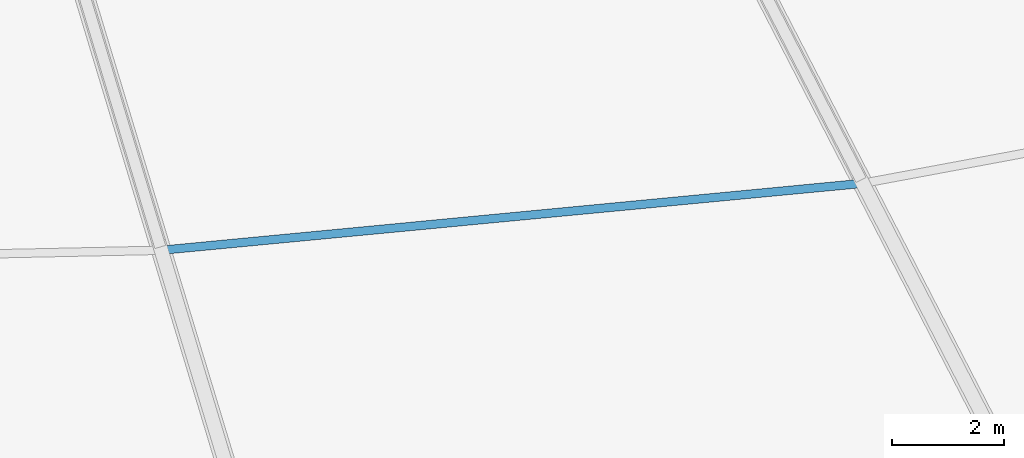
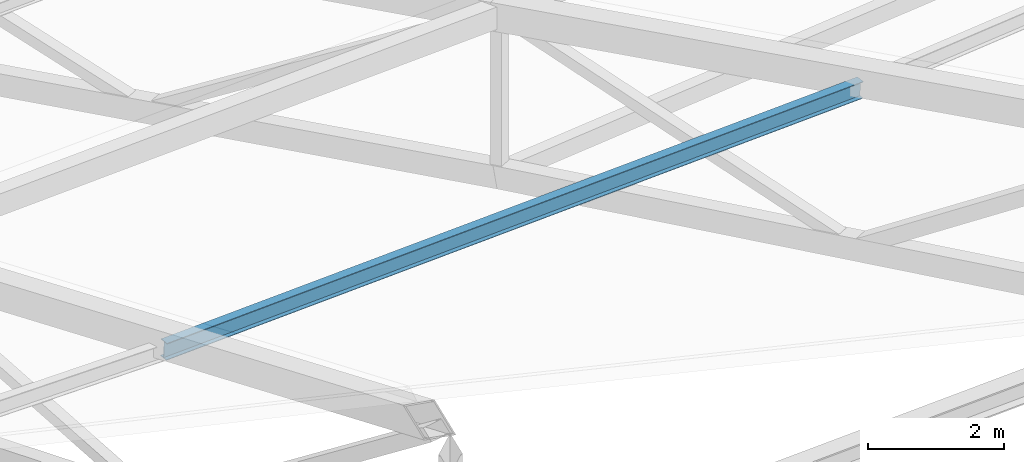
# One storey, part 34 of 143: 1 member.
"""IFC4 building model written with IfcOpenShell, lengths in metres."""

from ifc_helpers import new_model, si_unit, direction, frame, origin, origin_2d, place, context, subcontext, project, spatial, i_section, extrude, material, material_profile, profile_set, type_object, element, save


model = new_model("IFC4")

# Units and contexts
model_context = context("Model", 3, precision=1e-05, world=origin(), true_north=direction((0.0, 1.0)))
body_context = subcontext(model_context, "Body", "Model", "MODEL_VIEW")
ifc_project = project(units=[si_unit("LENGTHUNIT", "METRE"), si_unit("AREAUNIT", "SQUARE_METRE"), si_unit("VOLUMEUNIT", "CUBIC_METRE"), si_unit("PLANEANGLEUNIT", "RADIAN"), si_unit("MASSUNIT", "GRAM", prefix="KILO")], contexts=[model_context])

# Site, building, storey
site_placement = place(None, origin())
site = spatial("IfcSite", under=ifc_project, at=site_placement, CompositionType="ELEMENT")
building_placement = place(site_placement, origin())
building = spatial("IfcBuilding", under=site, at=building_placement, Name="Mphavela Belvedere Stadium", CompositionType="ELEMENT")
storey_placement = place(building_placement, frame((0.0, 0.0, 28.800048828125)))
storey = spatial("IfcBuildingStorey", under=building, at=storey_placement, Name="RF", CompositionType="ELEMENT", Elevation=28.800048828125)

# Member
ifc_material = material(Name="Steel S355", Category="steel")
ifc_material_profile = material_profile(ifc_material, i_section(OverallWidth=0.14990234375, OverallDepth=0.300048828125, WebThickness=0.007080078125, FlangeThickness=0.0107421875, at=origin_2d()), Name="IPE 300")
ifc_profile_set = profile_set([ifc_material_profile], Name="Steel S355")
member_type = type_object("IfcMemberType", Name="MEM-PURLIN-IPE300", PredefinedType="PURLIN", material=ifc_profile_set)
member_placement = place(storey_placement, frame((133.463623046875, 25.89013671875, 10.681884765625), z_axis=(0.994978106936, 0.09488022844, -0.031879601151), x_axis=(-0.094928479035, 0.995484095236, 0.0)))
element("IfcMember", 1, at=member_placement, inside=storey, type_object=member_type, Name="Saddle canopy steel purlin 38-2", PredefinedType="PURLIN", context=body_context, shape_type="SweptSolid", body=[
    extrude(i_section(OverallWidth=0.14990234375, OverallDepth=0.300048828125, WebThickness=0.007080078125, FlangeThickness=0.0107421875, at=origin_2d()), origin(), (0.0, 0.0, 1.0), 12.5517578125),
])

save(model, "model.ifc")
